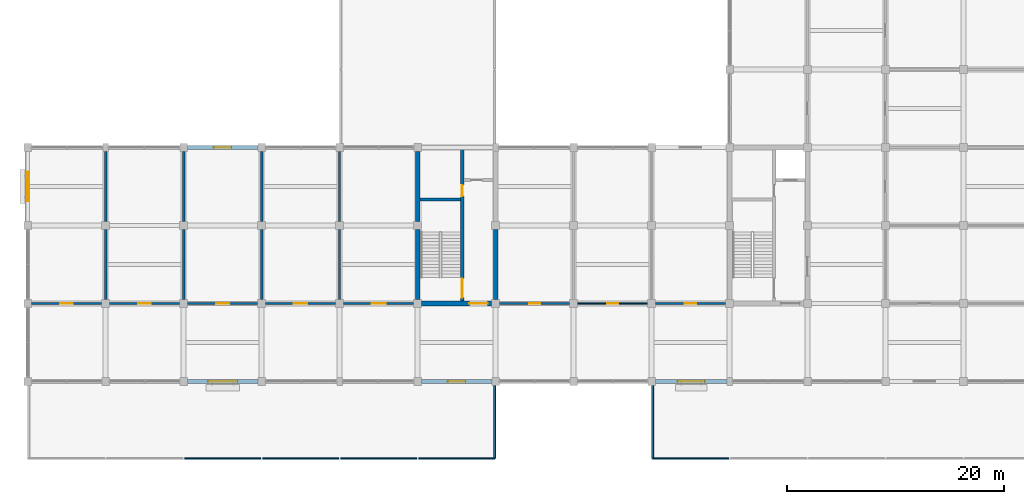
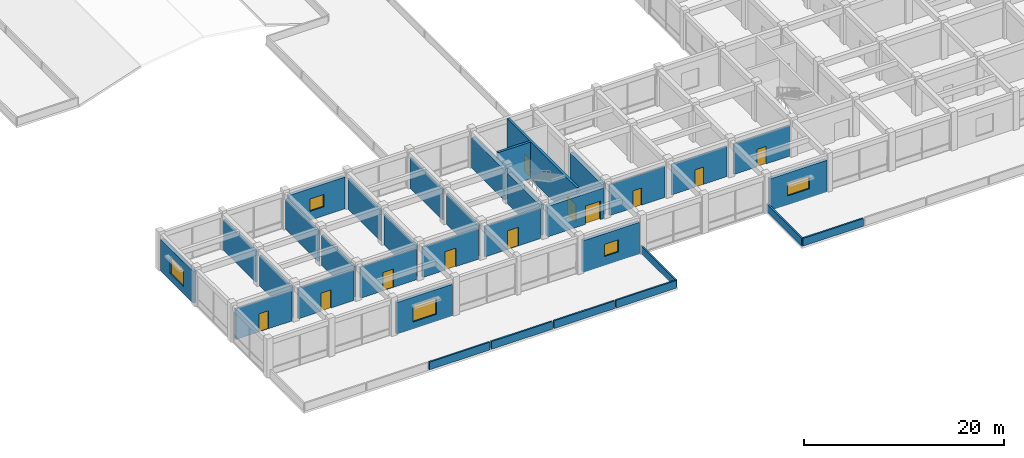
# One storey, part 18 of 30: 34 walls, 11 doors, 5 windows, 16 openings.
"""IFC4 building model written with IfcOpenShell, lengths in metres."""

from ifc_helpers import new_model, si_unit, direction, frame, frame_2d, origin, place, context, subcontext, project, spatial, rectangle, extrude, material, layer, layer_set, type_object, element, fill, save


model = new_model("IFC4")

# Units and contexts
model_context = context("Model", 3, precision=1e-05, world=origin(), true_north=direction((0.0, 1.0)))
body_context = subcontext(model_context, "Body", "Model", "MODEL_VIEW")
ifc_project = project(units=[si_unit("LENGTHUNIT", "METRE"), si_unit("AREAUNIT", "SQUARE_METRE"), si_unit("VOLUMEUNIT", "CUBIC_METRE"), si_unit("PLANEANGLEUNIT", "RADIAN"), si_unit("MASSUNIT", "GRAM", prefix="KILO")], contexts=[model_context])

# Site, building, storey
site_placement = place(None, origin())
site = spatial("IfcSite", under=ifc_project, at=site_placement, CompositionType="ELEMENT")
building_placement = place(site_placement, origin())
building = spatial("IfcBuilding", under=site, at=building_placement, Name="Cendaluz Park School", CompositionType="ELEMENT")
storey_placement = place(building_placement, frame((0.0, 0.0, 9.60009765625)))
storey = spatial("IfcBuildingStorey", under=building, at=storey_placement, Name="L02", CompositionType="ELEMENT", Elevation=9.60009765625)

# Wall, opening, door
ifc_material_1 = material(Name="Gypsum Plasterboard on Cold-Formed Stud", Category="gypsum")
ifc_layer_1 = layer(ifc_material_1, 0.199951171875)
ifc_layer_set_1 = layer_set([ifc_layer_1], Name="Gypsum Plasterboard on Cold-Formed Stud")
wall_type_1 = type_object("IfcWallType", Name="W-AC20", PredefinedType="PARTITIONING", material=ifc_layer_set_1)
wall_1_placement = place(storey_placement, frame((21.97509765625, 14.39990234375, 0.0), z_axis=(0.0, 0.0, 1.0), x_axis=(1.0, 0.0, 0.0)))
wall_1 = element("IfcWall", 1, at=wall_1_placement, inside=storey, type_object=wall_type_1, Name="WL-FC-BZ2", PredefinedType="PARTITIONING", context=body_context, shape_type="SweptSolid", body=[
    extrude(rectangle(XDim=6.449951171875, YDim=0.199951171875, at=frame_2d((3.22509765625, 0.0))), origin(), (0.0, 0.0, 1.0), 3.739990234375),
])
opening_1_placement = place(wall_1_placement, frame((2.60498046875, 0.0, 0.0)))
opening_1 = element("IfcOpeningElement", 2, at=opening_1_placement, cuts=wall_1, Name="Opening DCL-09", PredefinedType="OPENING", context=body_context, shape_type="SweptSolid", body=[
    extrude(rectangle(XDim=1.239990234375, YDim=2.260009765625, at=frame_2d((0.6201171875, 1.1298828125))), frame((0.0, 0.112060546875, 0.0), z_axis=(0.0, -1.0, 0.0), x_axis=(1.0, 0.0, 0.0)), (0.0, 0.0, 1.0), 0.223876953125),
])
ifc_material_2 = material(Name="Solid Core Hardwood", Category="wood")
door_type_1 = type_object("IfcDoorType", Name="DCL-09", OperationType="NOTDEFINED", PredefinedType="DOOR", material=ifc_material_2)
door_1_placement = place(opening_1_placement, origin())
door_1 = element("IfcDoor", 3, at=door_1_placement, inside=storey, type_object=door_type_1, Name="D-L02-032", OperationType="SINGLE_SWING_RIGHT", OverallHeight=2.260009765625, OverallWidth=1.239990234375, PredefinedType="DOOR", context=body_context, shape_type="SweptSolid", body=[
    extrude(rectangle(XDim=1.239990234375, YDim=2.260009765625, at=frame_2d((0.6201171875, 1.1298828125))), frame((0.0, 0.02490234375, 0.0), z_axis=(0.0, -1.0, 0.0), x_axis=(1.0, 0.0, 0.0)), (0.0, 0.0, 1.0), 0.050048828125),
])
fill(opening_1, door_1)

# Walls
wall_2_placement = place(storey_placement, frame((28.800048828125, 14.77490234375, 0.0), z_axis=(0.0, 0.0, 1.0), x_axis=(0.0, 1.0, 0.0)))
element("IfcWall", 4, at=wall_2_placement, inside=storey, type_object=wall_type_1, Name="WL-FC-BZ3", PredefinedType="PARTITIONING", context=body_context, shape_type="SweptSolid", body=[
    extrude(rectangle(XDim=6.4501953125, YDim=0.199951171875, at=frame_2d((3.22509765625, 0.0))), origin(), (0.0, 0.0, 1.0), 3.739990234375),
])
wall_3_placement = place(storey_placement, frame((28.800048828125, 21.97509765625, 0.0), z_axis=(0.0, 0.0, 1.0), x_axis=(0.0, 1.0, 0.0)))
element("IfcWall", 5, at=wall_3_placement, inside=storey, type_object=wall_type_1, Name="WL-FC-BZ4", PredefinedType="PARTITIONING", context=body_context, shape_type="SweptSolid", body=[
    extrude(rectangle(XDim=6.474853515625, YDim=0.199951171875, at=frame_2d((3.2373046875, 0.0))), origin(), (0.0, 0.0, 1.0), 3.739990234375),
])

# Wall, opening, door
wall_4_placement = place(storey_placement, frame((29.175048828125, 14.39990234375, 0.0), z_axis=(0.0, 0.0, 1.0), x_axis=(1.0, 0.0, 0.0)))
wall_4 = element("IfcWall", 6, at=wall_4_placement, inside=storey, type_object=wall_type_1, Name="WL-FC-BZ5", PredefinedType="PARTITIONING", context=body_context, shape_type="SweptSolid", body=[
    extrude(rectangle(XDim=6.449951171875, YDim=0.199951171875, at=frame_2d((3.22509765625, 0.0))), origin(), (0.0, 0.0, 1.0), 3.739990234375),
])
opening_2_placement = place(wall_4_placement, frame((2.5849609375, 0.0, 0.0)))
opening_2 = element("IfcOpeningElement", 7, at=opening_2_placement, cuts=wall_4, Name="Opening DCL-10", PredefinedType="OPENING", context=body_context, shape_type="SweptSolid", body=[
    extrude(rectangle(XDim=1.280029296875, YDim=2.280029296875, at=frame_2d((0.64013671875, 1.14013671875))), frame((0.0, 0.112060546875, 0.0), z_axis=(0.0, -1.0, 0.0), x_axis=(1.0, 0.0, 0.0)), (0.0, 0.0, 1.0), 0.223876953125),
])
door_type_2 = type_object("IfcDoorType", Name="DCL-10", OperationType="NOTDEFINED", PredefinedType="DOOR", material=ifc_material_2)
door_2_placement = place(opening_2_placement, origin())
door_2 = element("IfcDoor", 8, at=door_2_placement, inside=storey, type_object=door_type_2, Name="D-L02-033", OperationType="SINGLE_SWING_LEFT", OverallHeight=2.280029296875, OverallWidth=1.280029296875, PredefinedType="DOOR", context=body_context, shape_type="SweptSolid", body=[
    extrude(rectangle(XDim=1.280029296875, YDim=2.280029296875, at=frame_2d((0.64013671875, 1.14013671875))), frame((0.0, 0.02490234375, 0.0), z_axis=(0.0, -1.0, 0.0), x_axis=(1.0, 0.0, 0.0)), (0.0, 0.0, 1.0), 0.050048828125),
])
fill(opening_2, door_2)

wall_5_placement = place(storey_placement, frame((43.574951171875, 14.39990234375, 0.0), z_axis=(0.0, 0.0, 1.0), x_axis=(1.0, 0.0, 0.0)))
wall_5 = element("IfcWall", 9, at=wall_5_placement, inside=storey, type_object=wall_type_1, Name="WL-FC-BZ6", PredefinedType="PARTITIONING", context=body_context, shape_type="SweptSolid", body=[
    extrude(rectangle(XDim=6.449951171875, YDim=0.199951171875, at=frame_2d((3.22509765625, 0.0))), origin(), (0.0, 0.0, 1.0), 3.809814453125),
])
opening_3_placement = place(wall_5_placement, frame((2.72509765625, 0.0, 0.0)))
opening_3 = element("IfcOpeningElement", 10, at=opening_3_placement, cuts=wall_5, Name="Opening DCL-01", PredefinedType="OPENING", context=body_context, shape_type="SweptSolid", body=[
    extrude(rectangle(XDim=1.0, YDim=2.10009765625, at=frame_2d((0.5, 1.050048828125))), frame((0.0, 0.112060546875, 0.0), z_axis=(0.0, -1.0, 0.0), x_axis=(1.0, 0.0, 0.0)), (0.0, 0.0, 1.0), 0.223876953125),
])
door_type_3 = type_object("IfcDoorType", Name="DCL-01", OperationType="NOTDEFINED", PredefinedType="DOOR", material=ifc_material_2)
door_3_placement = place(opening_3_placement, origin())
door_3 = element("IfcDoor", 11, at=door_3_placement, inside=storey, type_object=door_type_3, Name="D-L02-034", OperationType="SINGLE_SWING_RIGHT", OverallHeight=2.10009765625, OverallWidth=1.0, PredefinedType="DOOR", context=body_context, shape_type="SweptSolid", body=[
    extrude(rectangle(XDim=1.0, YDim=2.10009765625, at=frame_2d((0.5, 1.050048828125))), frame((0.0, 0.02490234375, 0.0), z_axis=(0.0, -1.0, 0.0), x_axis=(1.0, 0.0, 0.0)), (0.0, 0.0, 1.0), 0.050048828125),
])
fill(opening_3, door_3)

wall_6_placement = place(storey_placement, frame((57.97509765625, 14.39990234375, 0.0), z_axis=(0.0, 0.0, 1.0), x_axis=(1.0, 0.0, 0.0)))
wall_6 = element("IfcWall", 12, at=wall_6_placement, inside=storey, type_object=wall_type_1, Name="WL-FC-CA2", PredefinedType="PARTITIONING", context=body_context, shape_type="SweptSolid", body=[
    extrude(rectangle(XDim=6.449951171875, YDim=0.199951171875, at=frame_2d((3.22509765625, 0.0))), origin(), (0.0, 0.0, 1.0), 3.739990234375),
])
opening_4_placement = place(wall_6_placement, frame((2.705078125, 0.0, 0.0)))
opening_4 = element("IfcOpeningElement", 13, at=opening_4_placement, cuts=wall_6, Name="Opening DCL-03", PredefinedType="OPENING", context=body_context, shape_type="SweptSolid", body=[
    extrude(rectangle(XDim=1.0400390625, YDim=2.139892578125, at=frame_2d((0.52001953125, 1.06982421875))), frame((0.0, 0.112060546875, 0.0), z_axis=(0.0, -1.0, 0.0), x_axis=(1.0, 0.0, 0.0)), (0.0, 0.0, 1.0), 0.223876953125),
])
door_type_4 = type_object("IfcDoorType", Name="DCL-03", OperationType="NOTDEFINED", PredefinedType="DOOR", material=ifc_material_2)
door_4_placement = place(opening_4_placement, origin())
door_4 = element("IfcDoor", 14, at=door_4_placement, inside=storey, type_object=door_type_4, Name="D-L02-036", OperationType="SINGLE_SWING_RIGHT", OverallHeight=2.139892578125, OverallWidth=1.0400390625, PredefinedType="DOOR", context=body_context, shape_type="SweptSolid", body=[
    extrude(rectangle(XDim=1.0400390625, YDim=2.139892578125, at=frame_2d((0.52001953125, 1.06982421875))), frame((0.0, 0.02490234375, 0.0), z_axis=(0.0, -1.0, 0.0), x_axis=(1.0, 0.0, 0.0)), (0.0, 0.0, 1.0), 0.050048828125),
])
fill(opening_4, door_4)

# Wall, opening, window
ifc_material_3 = material(Name="Concrete C40/50 precast", Category="concrete")
ifc_layer_2 = layer(ifc_material_3, 0.360107421875)
ifc_layer_set_2 = layer_set([ifc_layer_2], Name="Concrete C40/50 precast")
wall_type_2 = type_object("IfcWallType", Name="W-EX36", PredefinedType="SOLIDWALL", material=ifc_layer_set_2)
wall_7_placement = place(storey_placement, frame((0.0, 21.949951171875, 0.0), z_axis=(0.0, 0.0, 1.0), x_axis=(0.0, 1.0, 0.0)))
wall_7 = element("IfcWall", 15, at=wall_7_placement, inside=storey, type_object=wall_type_2, Name="WL-FC-AA0", PredefinedType="SOLIDWALL", context=body_context, shape_type="SweptSolid", body=[
    extrude(rectangle(XDim=6.5, YDim=0.360107421875, at=frame_2d((3.25, 0.0))), origin(), (0.0, 0.0, 1.0), 3.8798828125),
])
opening_5_placement = place(wall_7_placement, frame((1.89990234375, 0.0, 0.85009765625)))
opening_5 = element("IfcOpeningElement", 16, at=opening_5_placement, cuts=wall_7, Name="Opening WN-13", PredefinedType="OPENING", context=body_context, shape_type="SweptSolid", body=[
    extrude(rectangle(XDim=2.699951171875, YDim=2.0, at=frame_2d((1.35009765625, 1.0))), frame((0.0, 0.192138671875, 0.0), z_axis=(0.0, -1.0, 0.0), x_axis=(1.0, 0.0, 0.0)), (0.0, 0.0, 1.0), 0.384033203125),
])
ifc_material_4 = material(Name="Tempered Low-E Double Glazing", Category="glass")
window_type_1 = type_object("IfcWindowType", Name="WN-13", PartitioningType="SINGLE_PANEL", PredefinedType="WINDOW", material=ifc_material_4)
window_1_placement = place(opening_5_placement, origin())
window_1 = element("IfcWindow", 17, at=window_1_placement, inside=storey, type_object=window_type_1, Name="WN-L02-001", OverallHeight=2.0, OverallWidth=2.699951171875, PartitioningType="SINGLE_PANEL", PredefinedType="WINDOW", context=body_context, shape_type="SweptSolid", body=[
    extrude(rectangle(XDim=2.699951171875, YDim=2.0, at=frame_2d((1.35009765625, 1.0))), frame((0.0, 0.030029296875, 0.0), z_axis=(0.0, -1.0, 0.0), x_axis=(1.0, 0.0, 0.0)), (0.0, 0.0, 1.0), 0.06005859375),
])
fill(opening_5, window_1)

wall_8_placement = place(storey_placement, frame((14.75, 7.199951171875, 0.0), z_axis=(0.0, 0.0, 1.0), x_axis=(1.0, 0.0, 0.0)))
wall_8 = element("IfcWall", 18, at=wall_8_placement, inside=storey, type_object=wall_type_2, Name="WL-FC-AA1", PredefinedType="SOLIDWALL", context=body_context, shape_type="SweptSolid", body=[
    extrude(rectangle(XDim=6.5, YDim=0.360107421875, at=frame_2d((3.25, 0.0))), origin(), (0.0, 0.0, 1.0), 3.8798828125),
])
opening_6_placement = place(wall_8_placement, frame((1.89990234375, 0.0, 0.85009765625)))
opening_6 = element("IfcOpeningElement", 19, at=opening_6_placement, cuts=wall_8, Name="Opening WN-13", PredefinedType="OPENING", context=body_context, shape_type="SweptSolid", body=[
    extrude(rectangle(XDim=2.699951171875, YDim=2.0, at=frame_2d((1.35009765625, 1.0))), frame((0.0, 0.192138671875, 0.0), z_axis=(0.0, -1.0, 0.0), x_axis=(1.0, 0.0, 0.0)), (0.0, 0.0, 1.0), 0.384033203125),
])
window_2_placement = place(opening_6_placement, origin())
window_2 = element("IfcWindow", 20, at=window_2_placement, inside=storey, type_object=window_type_1, Name="WN-L02-002", OverallHeight=2.0, OverallWidth=2.699951171875, PartitioningType="SINGLE_PANEL", PredefinedType="WINDOW", context=body_context, shape_type="SweptSolid", body=[
    extrude(rectangle(XDim=2.699951171875, YDim=2.0, at=frame_2d((1.35009765625, 1.0))), frame((0.0, 0.030029296875, 0.0), z_axis=(0.0, -1.0, 0.0), x_axis=(1.0, 0.0, 0.0)), (0.0, 0.0, 1.0), 0.06005859375),
])
fill(opening_6, window_2)

wall_9_placement = place(storey_placement, frame((14.75, 28.800048828125, 0.0), z_axis=(0.0, 0.0, 1.0), x_axis=(1.0, 0.0, 0.0)))
wall_9 = element("IfcWall", 21, at=wall_9_placement, inside=storey, type_object=wall_type_2, Name="WL-FC-AA2", PredefinedType="SOLIDWALL", context=body_context, shape_type="SweptSolid", body=[
    extrude(rectangle(XDim=6.5, YDim=0.360107421875, at=frame_2d((3.25, 0.0))), origin(), (0.0, 0.0, 1.0), 3.8798828125),
])
opening_7_placement = place(wall_9_placement, frame((2.449951171875, 0.0, 1.10009765625)))
opening_7 = element("IfcOpeningElement", 22, at=opening_7_placement, cuts=wall_9, Name="Opening WN-16", PredefinedType="OPENING", context=body_context, shape_type="SweptSolid", body=[
    extrude(rectangle(XDim=1.60009765625, YDim=1.5, at=frame_2d((0.800048828125, 0.75))), frame((0.0, 0.192138671875, 0.0), z_axis=(0.0, -1.0, 0.0), x_axis=(1.0, 0.0, 0.0)), (0.0, 0.0, 1.0), 0.384033203125),
])
window_type_2 = type_object("IfcWindowType", Name="WN-16", PartitioningType="SINGLE_PANEL", PredefinedType="WINDOW", material=ifc_material_4)
window_3_placement = place(opening_7_placement, origin())
window_3 = element("IfcWindow", 23, at=window_3_placement, inside=storey, type_object=window_type_2, Name="WN-L02-003", OverallHeight=1.5, OverallWidth=1.60009765625, PartitioningType="SINGLE_PANEL", PredefinedType="WINDOW", context=body_context, shape_type="SweptSolid", body=[
    extrude(rectangle(XDim=1.60009765625, YDim=1.5, at=frame_2d((0.800048828125, 0.75))), frame((0.0, 0.030029296875, 0.0), z_axis=(0.0, -1.0, 0.0), x_axis=(1.0, 0.0, 0.0)), (0.0, 0.0, 1.0), 0.06005859375),
])
fill(opening_7, window_3)

wall_10_placement = place(storey_placement, frame((36.35009765625, 7.199951171875, 0.0), z_axis=(0.0, 0.0, 1.0), x_axis=(1.0, 0.0, 0.0)))
wall_10 = element("IfcWall", 24, at=wall_10_placement, inside=storey, type_object=wall_type_2, Name="WL-FC-AA3", PredefinedType="SOLIDWALL", context=body_context, shape_type="SweptSolid", body=[
    extrude(rectangle(XDim=6.5, YDim=0.360107421875, at=frame_2d((3.25, 0.0))), origin(), (0.0, 0.0, 1.0), 3.8798828125),
])
opening_8_placement = place(wall_10_placement, frame((2.449951171875, 0.0, 1.10009765625)))
opening_8 = element("IfcOpeningElement", 25, at=opening_8_placement, cuts=wall_10, Name="Opening WN-16", PredefinedType="OPENING", context=body_context, shape_type="SweptSolid", body=[
    extrude(rectangle(XDim=1.60009765625, YDim=1.5, at=frame_2d((0.800048828125, 0.75))), frame((0.0, 0.192138671875, 0.0), z_axis=(0.0, -1.0, 0.0), x_axis=(1.0, 0.0, 0.0)), (0.0, 0.0, 1.0), 0.384033203125),
])
window_4_placement = place(opening_8_placement, origin())
window_4 = element("IfcWindow", 26, at=window_4_placement, inside=storey, type_object=window_type_2, Name="WN-L02-004", OverallHeight=1.5, OverallWidth=1.60009765625, PartitioningType="SINGLE_PANEL", PredefinedType="WINDOW", context=body_context, shape_type="SweptSolid", body=[
    extrude(rectangle(XDim=1.60009765625, YDim=1.5, at=frame_2d((0.800048828125, 0.75))), frame((0.0, 0.030029296875, 0.0), z_axis=(0.0, -1.0, 0.0), x_axis=(1.0, 0.0, 0.0)), (0.0, 0.0, 1.0), 0.06005859375),
])
fill(opening_8, window_4)

wall_11_placement = place(storey_placement, frame((57.949951171875, 7.199951171875, 0.0), z_axis=(0.0, 0.0, 1.0), x_axis=(1.0, 0.0, 0.0)))
wall_11 = element("IfcWall", 27, at=wall_11_placement, inside=storey, type_object=wall_type_2, Name="WL-FC-AA4", PredefinedType="SOLIDWALL", context=body_context, shape_type="SweptSolid", body=[
    extrude(rectangle(XDim=6.60009765625, YDim=0.360107421875, at=frame_2d((3.300048828125, 0.0))), origin(), (0.0, 0.0, 1.0), 3.8798828125),
])
opening_9_placement = place(wall_11_placement, frame((2.050048828125, 0.0, 1.10009765625)))
opening_9 = element("IfcOpeningElement", 28, at=opening_9_placement, cuts=wall_11, Name="Opening WN-19", PredefinedType="OPENING", context=body_context, shape_type="SweptSolid", body=[
    extrude(rectangle(XDim=2.5, YDim=1.5, at=frame_2d((1.25, 0.75))), frame((0.0, 0.192138671875, 0.0), z_axis=(0.0, -1.0, 0.0), x_axis=(1.0, 0.0, 0.0)), (0.0, 0.0, 1.0), 0.384033203125),
])
window_type_3 = type_object("IfcWindowType", Name="WN-19", PartitioningType="SINGLE_PANEL", PredefinedType="WINDOW", material=ifc_material_4)
window_5_placement = place(opening_9_placement, origin())
window_5 = element("IfcWindow", 29, at=window_5_placement, inside=storey, type_object=window_type_3, Name="WN-L02-005", OverallHeight=1.5, OverallWidth=2.5, PartitioningType="SINGLE_PANEL", PredefinedType="WINDOW", context=body_context, shape_type="SweptSolid", body=[
    extrude(rectangle(XDim=2.5, YDim=1.5, at=frame_2d((1.25, 0.75))), frame((0.0, 0.030029296875, 0.0), z_axis=(0.0, -1.0, 0.0), x_axis=(1.0, 0.0, 0.0)), (0.0, 0.0, 1.0), 0.06005859375),
])
fill(opening_9, window_5)

# Wall, openings, doors
ifc_material_5 = material(Name="Concrete C40/50", Category="concrete")
ifc_layer_3 = layer(ifc_material_5, 0.280029296875)
ifc_layer_set_3 = layer_set([ifc_layer_3], Name="Concrete C40/50")
wall_type_3 = type_object("IfcWallType", Name="W-FW28", PredefinedType="SHEAR", material=ifc_layer_set_3)
wall_12_placement = place(storey_placement, frame((40.1201171875, 14.60009765625, 0.0), z_axis=(0.0, 0.0, 1.0), x_axis=(0.0, 1.0, 0.0)))
wall_12 = element("IfcWall", 30, at=wall_12_placement, inside=storey, type_object=wall_type_3, Name="WL-FC-BW3", PredefinedType="SHEAR", context=body_context, shape_type="SweptSolid", body=[
    extrude(rectangle(XDim=14.0, YDim=0.280029296875, at=frame_2d((7.0, 0.0))), origin(), (0.0, 0.0, 1.0), 4.510009765625),
])
opening_10_placement = place(wall_12_placement, frame((0.35009765625, 0.0, 0.0)))
opening_10 = element("IfcOpeningElement", 31, at=opening_10_placement, cuts=wall_12, Name="Opening DST-03", PredefinedType="OPENING", context=body_context, shape_type="SweptSolid", body=[
    extrude(rectangle(XDim=1.75, YDim=2.14990234375, at=frame_2d((0.875, 1.074951171875))), frame((0.0, 0.152099609375, 0.0), z_axis=(0.0, -1.0, 0.0), x_axis=(1.0, 0.0, 0.0)), (0.0, 0.0, 1.0), 0.303955078125),
])
opening_11_placement = place(wall_12_placement, frame((9.719970703125, 0.0, 0.0)))
opening_11 = element("IfcOpeningElement", 32, at=opening_11_placement, cuts=wall_12, Name="Opening DFC-01", PredefinedType="OPENING", context=body_context, shape_type="SweptSolid", body=[
    extrude(rectangle(XDim=1.0, YDim=2.14990234375, at=frame_2d((0.5, 1.074951171875))), frame((0.0, 0.152099609375, 0.0), z_axis=(0.0, -1.0, 0.0), x_axis=(1.0, 0.0, 0.0)), (0.0, 0.0, 1.0), 0.303955078125),
])
door_type_5 = type_object("IfcDoorType", Name="DFC-01", OperationType="NOTDEFINED", PredefinedType="DOOR", material=ifc_material_2)
door_5_placement = place(opening_11_placement, origin())
door_5 = element("IfcDoor", 33, at=door_5_placement, inside=storey, type_object=door_type_5, Name="D-L02-021", OperationType="SINGLE_SWING_LEFT", OverallHeight=2.14990234375, OverallWidth=1.0, PredefinedType="DOOR", context=body_context, shape_type="SweptSolid", body=[
    extrude(rectangle(XDim=1.0, YDim=2.14990234375, at=frame_2d((0.5, 1.074951171875))), frame((0.0, 0.02490234375, 0.0), z_axis=(0.0, -1.0, 0.0), x_axis=(1.0, 0.0, 0.0)), (0.0, 0.0, 1.0), 0.050048828125),
])
fill(opening_11, door_5)
door_type_6 = type_object("IfcDoorType", Name="DST-03", OperationType="DOUBLE_DOOR_SINGLE_SWING", PredefinedType="DOOR", material=ifc_material_2)
door_6_placement = place(opening_10_placement, origin())
door_6 = element("IfcDoor", 34, at=door_6_placement, inside=storey, type_object=door_type_6, Name="D-L02-020", OperationType="DOUBLE_DOOR_SINGLE_SWING", OverallHeight=2.14990234375, OverallWidth=1.75, PredefinedType="DOOR", context=body_context, shape_type="SweptSolid", body=[
    extrude(rectangle(XDim=1.75, YDim=2.14990234375, at=frame_2d((0.875, 1.074951171875))), frame((0.0, 0.02490234375, 0.0), z_axis=(0.0, -1.0, 0.0), x_axis=(1.0, 0.0, 0.0)), (0.0, 0.0, 1.0), 0.050048828125),
])
fill(opening_10, door_6)

# Wall
wall_13_placement = place(storey_placement, frame((36.199951171875, 23.97998046875, 0.0), z_axis=(0.0, 0.0, 1.0), x_axis=(1.0, 0.0, 0.0)))
element("IfcWall", 35, at=wall_13_placement, inside=storey, type_object=wall_type_3, Name="WL-FC-BW4", PredefinedType="SHEAR", context=body_context, shape_type="SweptSolid", body=[
    extrude(rectangle(XDim=3.780029296875, YDim=0.280029296875, at=frame_2d((1.89013671875, 0.0))), origin(), (0.0, 0.0, 1.0), 4.510009765625),
])

# Wall, opening, door
ifc_layer_4 = layer(ifc_material_1, 0.219970703125)
ifc_layer_set_4 = layer_set([ifc_layer_4], Name="Gypsum Plasterboard on Cold-Formed Stud")
wall_type_4 = type_object("IfcWallType", Name="W-LB22", PredefinedType="PARTITIONING", material=ifc_layer_set_4)
wall_14_placement = place(storey_placement, frame((0.35009765625, 14.39990234375, 0.0), z_axis=(0.0, 0.0, 1.0), x_axis=(1.0, 0.0, 0.0)))
wall_14 = element("IfcWall", 36, at=wall_14_placement, inside=storey, type_object=wall_type_4, Name="WL-FC-BY3", PredefinedType="PARTITIONING", context=body_context, shape_type="SweptSolid", body=[
    extrude(rectangle(XDim=6.474853515625, YDim=0.219970703125, at=frame_2d((3.2373046875, 0.0))), origin(), (0.0, 0.0, 1.0), 3.739990234375),
])
opening_12_placement = place(wall_14_placement, frame((2.677490234375, 0.0, 0.0)))
opening_12 = element("IfcOpeningElement", 37, at=opening_12_placement, cuts=wall_14, Name="Opening DCL-06", PredefinedType="OPENING", context=body_context, shape_type="SweptSolid", body=[
    extrude(rectangle(XDim=1.1201171875, YDim=2.199951171875, at=frame_2d((0.56005859375, 1.10009765625))), frame((0.0, 0.1220703125, 0.0), z_axis=(0.0, -1.0, 0.0), x_axis=(1.0, 0.0, 0.0)), (0.0, 0.0, 1.0), 0.243896484375),
])
door_type_7 = type_object("IfcDoorType", Name="DCL-06", OperationType="NOTDEFINED", PredefinedType="DOOR", material=ifc_material_2)
door_7_placement = place(opening_12_placement, frame((1.1201171875, 0.0, 0.0), z_axis=(0.0, 0.0, 1.0), x_axis=(-1.0, 0.0, 0.0)))
door_7 = element("IfcDoor", 38, at=door_7_placement, inside=storey, type_object=door_type_7, Name="D-L02-029", OperationType="SINGLE_SWING_LEFT", OverallHeight=2.199951171875, OverallWidth=1.1201171875, PredefinedType="DOOR", context=body_context, shape_type="SweptSolid", body=[
    extrude(rectangle(XDim=1.1201171875, YDim=2.199951171875, at=frame_2d((0.56005859375, 1.10009765625))), frame((0.0, 0.02490234375, 0.0), z_axis=(0.0, -1.0, 0.0), x_axis=(1.0, 0.0, 0.0)), (0.0, 0.0, 1.0), 0.050048828125),
])
fill(opening_12, door_7)

# Walls
wall_15_placement = place(storey_placement, frame((7.199951171875, 14.77490234375, 0.0), z_axis=(0.0, 0.0, 1.0), x_axis=(0.0, 1.0, 0.0)))
element("IfcWall", 39, at=wall_15_placement, inside=storey, type_object=wall_type_4, Name="WL-FC-BY4", PredefinedType="PARTITIONING", context=body_context, shape_type="SweptSolid", body=[
    extrude(rectangle(XDim=6.4501953125, YDim=0.219970703125, at=frame_2d((3.22509765625, 0.0))), origin(), (0.0, 0.0, 1.0), 3.739990234375),
])
wall_16_placement = place(storey_placement, frame((7.199951171875, 21.97509765625, 0.0), z_axis=(0.0, 0.0, 1.0), x_axis=(0.0, 1.0, 0.0)))
element("IfcWall", 40, at=wall_16_placement, inside=storey, type_object=wall_type_4, Name="WL-FC-BY5", PredefinedType="PARTITIONING", context=body_context, shape_type="SweptSolid", body=[
    extrude(rectangle(XDim=6.449951171875, YDim=0.219970703125, at=frame_2d((3.22509765625, 0.0))), origin(), (0.0, 0.0, 1.0), 3.739990234375),
])

# Wall, opening, door
wall_17_placement = place(storey_placement, frame((7.574951171875, 14.39990234375, 0.0), z_axis=(0.0, 0.0, 1.0), x_axis=(1.0, 0.0, 0.0)))
wall_17 = element("IfcWall", 41, at=wall_17_placement, inside=storey, type_object=wall_type_4, Name="WL-FC-BY6", PredefinedType="PARTITIONING", context=body_context, shape_type="SweptSolid", body=[
    extrude(rectangle(XDim=6.449951171875, YDim=0.219970703125, at=frame_2d((3.22509765625, 0.0))), origin(), (0.0, 0.0, 1.0), 3.739990234375),
])
opening_13_placement = place(wall_17_placement, frame((2.64501953125, 0.0, 0.0)))
opening_13 = element("IfcOpeningElement", 42, at=opening_13_placement, cuts=wall_17, Name="Opening DCL-07", PredefinedType="OPENING", context=body_context, shape_type="SweptSolid", body=[
    extrude(rectangle(XDim=1.159912109375, YDim=2.219970703125, at=frame_2d((0.580078125, 1.10986328125))), frame((0.0, 0.1220703125, 0.0), z_axis=(0.0, -1.0, 0.0), x_axis=(1.0, 0.0, 0.0)), (0.0, 0.0, 1.0), 0.243896484375),
])
door_type_8 = type_object("IfcDoorType", Name="DCL-07", OperationType="NOTDEFINED", PredefinedType="DOOR", material=ifc_material_2)
door_8_placement = place(opening_13_placement, frame((1.159912109375, 0.0, 0.0), z_axis=(0.0, 0.0, 1.0), x_axis=(-1.0, 0.0, 0.0)))
door_8 = element("IfcDoor", 43, at=door_8_placement, inside=storey, type_object=door_type_8, Name="D-L02-030", OperationType="SINGLE_SWING_RIGHT", OverallHeight=2.219970703125, OverallWidth=1.159912109375, PredefinedType="DOOR", context=body_context, shape_type="SweptSolid", body=[
    extrude(rectangle(XDim=1.159912109375, YDim=2.219970703125, at=frame_2d((0.580078125, 1.10986328125))), frame((0.0, 0.02490234375, 0.0), z_axis=(0.0, -1.0, 0.0), x_axis=(1.0, 0.0, 0.0)), (0.0, 0.0, 1.0), 0.050048828125),
])
fill(opening_13, door_8)

# Walls
wall_18_placement = place(storey_placement, frame((14.39990234375, 14.77490234375, 0.0), z_axis=(0.0, 0.0, 1.0), x_axis=(0.0, 1.0, 0.0)))
element("IfcWall", 44, at=wall_18_placement, inside=storey, type_object=wall_type_4, Name="WL-FC-BY7", PredefinedType="PARTITIONING", context=body_context, shape_type="SweptSolid", body=[
    extrude(rectangle(XDim=6.4501953125, YDim=0.219970703125, at=frame_2d((3.22509765625, 0.0))), origin(), (0.0, 0.0, 1.0), 3.739990234375),
])
wall_19_placement = place(storey_placement, frame((14.39990234375, 21.97509765625, 0.0), z_axis=(0.0, 0.0, 1.0), x_axis=(0.0, 1.0, 0.0)))
element("IfcWall", 45, at=wall_19_placement, inside=storey, type_object=wall_type_4, Name="WL-FC-BY8", PredefinedType="PARTITIONING", context=body_context, shape_type="SweptSolid", body=[
    extrude(rectangle(XDim=6.474853515625, YDim=0.219970703125, at=frame_2d((3.2373046875, 0.0))), origin(), (0.0, 0.0, 1.0), 3.739990234375),
])

# Wall, opening, door
wall_20_placement = place(storey_placement, frame((14.77490234375, 14.39990234375, 0.0), z_axis=(0.0, 0.0, 1.0), x_axis=(1.0, 0.0, 0.0)))
wall_20 = element("IfcWall", 46, at=wall_20_placement, inside=storey, type_object=wall_type_4, Name="WL-FC-BY9", PredefinedType="PARTITIONING", context=body_context, shape_type="SweptSolid", body=[
    extrude(rectangle(XDim=6.4501953125, YDim=0.219970703125, at=frame_2d((3.22509765625, 0.0))), origin(), (0.0, 0.0, 1.0), 3.809814453125),
])
opening_14_placement = place(wall_20_placement, frame((2.625, 0.0, 0.0)))
opening_14 = element("IfcOpeningElement", 47, at=opening_14_placement, cuts=wall_20, Name="Opening DCL-08", PredefinedType="OPENING", context=body_context, shape_type="SweptSolid", body=[
    extrude(rectangle(XDim=1.199951171875, YDim=2.239990234375, at=frame_2d((0.60009765625, 1.1201171875))), frame((0.0, 0.1220703125, 0.0), z_axis=(0.0, -1.0, 0.0), x_axis=(1.0, 0.0, 0.0)), (0.0, 0.0, 1.0), 0.243896484375),
])
door_type_9 = type_object("IfcDoorType", Name="DCL-08", OperationType="NOTDEFINED", PredefinedType="DOOR", material=ifc_material_2)
door_9_placement = place(opening_14_placement, frame((1.199951171875, 0.0, 0.0), z_axis=(0.0, 0.0, 1.0), x_axis=(-1.0, 0.0, 0.0)))
door_9 = element("IfcDoor", 48, at=door_9_placement, inside=storey, type_object=door_type_9, Name="D-L02-031", OperationType="SINGLE_SWING_LEFT", OverallHeight=2.239990234375, OverallWidth=1.199951171875, PredefinedType="DOOR", context=body_context, shape_type="SweptSolid", body=[
    extrude(rectangle(XDim=1.199951171875, YDim=2.239990234375, at=frame_2d((0.60009765625, 1.1201171875))), frame((0.0, 0.02490234375, 0.0), z_axis=(0.0, -1.0, 0.0), x_axis=(1.0, 0.0, 0.0)), (0.0, 0.0, 1.0), 0.050048828125),
])
fill(opening_14, door_9)

# Walls
wall_21_placement = place(storey_placement, frame((21.60009765625, 14.77490234375, 0.0), z_axis=(0.0, 0.0, 1.0), x_axis=(0.0, 1.0, 0.0)))
element("IfcWall", 49, at=wall_21_placement, inside=storey, type_object=wall_type_4, Name="WL-FC-BZ0", PredefinedType="PARTITIONING", context=body_context, shape_type="SweptSolid", body=[
    extrude(rectangle(XDim=6.4501953125, YDim=0.219970703125, at=frame_2d((3.22509765625, 0.0))), origin(), (0.0, 0.0, 1.0), 3.739990234375),
])
wall_22_placement = place(storey_placement, frame((21.60009765625, 21.97509765625, 0.0), z_axis=(0.0, 0.0, 1.0), x_axis=(0.0, 1.0, 0.0)))
element("IfcWall", 50, at=wall_22_placement, inside=storey, type_object=wall_type_4, Name="WL-FC-BZ1", PredefinedType="PARTITIONING", context=body_context, shape_type="SweptSolid", body=[
    extrude(rectangle(XDim=6.474853515625, YDim=0.219970703125, at=frame_2d((3.2373046875, 0.0))), origin(), (0.0, 0.0, 1.0), 3.739990234375),
])

# Wall, opening, door
ifc_layer_5 = layer(ifc_material_1, 0.1201171875)
ifc_layer_set_5 = layer_set([ifc_layer_5], Name="Gypsum Plasterboard on Cold-Formed Stud")
wall_type_5 = type_object("IfcWallType", Name="W-MV12", PredefinedType="MOVABLE", material=ifc_layer_set_5)
wall_23_placement = place(storey_placement, frame((50.77490234375, 14.39990234375, 0.0), z_axis=(0.0, 0.0, 1.0), x_axis=(1.0, 0.0, 0.0)))
wall_23 = element("IfcWall", 51, at=wall_23_placement, inside=storey, type_object=wall_type_5, Name="WL-FC-BZ9", PredefinedType="MOVABLE", context=body_context, shape_type="SweptSolid", body=[
    extrude(rectangle(XDim=6.4501953125, YDim=0.1201171875, at=frame_2d((3.22509765625, 0.0))), origin(), (0.0, 0.0, 1.0), 3.739990234375),
])
opening_15_placement = place(wall_23_placement, frame((2.715087890625, 0.0, 0.0)))
opening_15 = element("IfcOpeningElement", 52, at=opening_15_placement, cuts=wall_23, Name="Opening DCL-02", PredefinedType="OPENING", context=body_context, shape_type="SweptSolid", body=[
    extrude(rectangle(XDim=1.02001953125, YDim=2.1201171875, at=frame_2d((0.510009765625, 1.06005859375))), frame((0.0, 0.072021484375, 0.0), z_axis=(0.0, -1.0, 0.0), x_axis=(1.0, 0.0, 0.0)), (0.0, 0.0, 1.0), 0.14404296875),
])
door_type_10 = type_object("IfcDoorType", Name="DCL-02", OperationType="NOTDEFINED", PredefinedType="DOOR", material=ifc_material_2)
door_10_placement = place(opening_15_placement, origin())
door_10 = element("IfcDoor", 53, at=door_10_placement, inside=storey, type_object=door_type_10, Name="D-L02-035", OperationType="SINGLE_SWING_LEFT", OverallHeight=2.1201171875, OverallWidth=1.02001953125, PredefinedType="DOOR", context=body_context, shape_type="SweptSolid", body=[
    extrude(rectangle(XDim=1.02001953125, YDim=2.1201171875, at=frame_2d((0.510009765625, 1.06005859375))), frame((0.0, 0.02490234375, 0.0), z_axis=(0.0, -1.0, 0.0), x_axis=(1.0, 0.0, 0.0)), (0.0, 0.0, 1.0), 0.050048828125),
])
fill(opening_15, door_10)

# Walls
ifc_layer_6 = layer(ifc_material_3, 0.179931640625)
ifc_layer_set_6 = layer_set([ifc_layer_6], Name="Concrete C40/50 precast")
wall_type_6 = type_object("IfcWallType", Name="W-PR18", PredefinedType="PARAPET", material=ifc_layer_set_6)
for number, where, z_axis, x_axis, name in (
    (54, (14.489990234375, 0.090087890625, 0.0), (0.0, 0.0, 1.0), (1.0, 0.0, 0.0), "WL-FC-AE0"),
    (55, (21.68994140625, 0.090087890625, 0.0), (0.0, 0.0, 1.0), (1.0, 0.0, 0.0), "WL-FC-AE3"),
    (56, (28.889892578125, 0.090087890625, 0.0), (0.0, 0.0, 1.0), (1.0, 0.0, 0.0), "WL-FC-AE6"),
    (57, (36.090087890625, 0.090087890625, 0.0), (0.0, 0.0, 1.0), (1.0, 0.0, 0.0), "WL-FC-AF4"),
    (58, (43.110107421875, 0.090087890625, 0.0), (0.0, 0.0, 1.0), (0.0, 1.0, 0.0), "WL-FC-AF5"),
    (59, (57.68994140625, 0.090087890625, 0.0), (0.0, 0.0, 1.0), (1.0, 0.0, 0.0), "WL-FC-AH5"),
    (60, (57.68994140625, 0.090087890625, 0.0), (0.0, 0.0, 1.0), (0.0, 1.0, 0.0), "WL-FC-AH6"),
):
    element("IfcWall", number, at=place(storey_placement, frame(where, z_axis=z_axis, x_axis=x_axis)), inside=storey, type_object=wall_type_6, Name=name, PredefinedType="PARAPET", context=body_context, shape_type="SweptSolid", body=[
        extrude(rectangle(XDim=7.02001953125, YDim=0.179931640625, at=frame_2d((3.510009765625, 0.0))), origin(), (0.0, 0.0, 1.0), 0.949951171875),
    ])
ifc_layer_7 = layer(ifc_material_5, 0.419921875)
ifc_layer_set_7 = layer_set([ifc_layer_7], Name="Concrete C40/50")
wall_type_7 = type_object("IfcWallType", Name="W-SH42", PredefinedType="SHEAR", material=ifc_layer_set_7)
wall_24_placement = place(storey_placement, frame((36.0, 14.77490234375, 0.0), z_axis=(0.0, 0.0, 1.0), x_axis=(0.0, 1.0, 0.0)))
element("IfcWall", 61, at=wall_24_placement, inside=storey, type_object=wall_type_7, Name="WL-FC-BV7", PredefinedType="SHEAR", context=body_context, shape_type="SweptSolid", body=[
    extrude(rectangle(XDim=6.4501953125, YDim=0.419921875, at=frame_2d((3.22509765625, 0.0))), origin(), (0.0, 0.0, 1.0), 3.739990234375),
])
wall_25_placement = place(storey_placement, frame((36.0, 21.97509765625, 0.0), z_axis=(0.0, 0.0, 1.0), x_axis=(0.0, 1.0, 0.0)))
element("IfcWall", 62, at=wall_25_placement, inside=storey, type_object=wall_type_7, Name="WL-FC-BV8", PredefinedType="SHEAR", context=body_context, shape_type="SweptSolid", body=[
    extrude(rectangle(XDim=6.474853515625, YDim=0.419921875, at=frame_2d((3.2373046875, 0.0))), origin(), (0.0, 0.0, 1.0), 3.739990234375),
])
wall_26_placement = place(storey_placement, frame((43.199951171875, 14.77490234375, 0.0), z_axis=(0.0, 0.0, 1.0), x_axis=(0.0, 1.0, 0.0)))
element("IfcWall", 63, at=wall_26_placement, inside=storey, type_object=wall_type_7, Name="WL-FC-BV9", PredefinedType="SHEAR", context=body_context, shape_type="SweptSolid", body=[
    extrude(rectangle(XDim=6.4501953125, YDim=0.419921875, at=frame_2d((3.22509765625, 0.0))), origin(), (0.0, 0.0, 1.0), 3.739990234375),
])

# Wall, opening, door
wall_27_placement = place(storey_placement, frame((36.375, 14.39990234375, 0.0), z_axis=(0.0, 0.0, 1.0), x_axis=(1.0, 0.0, 0.0)))
wall_27 = element("IfcWall", 64, at=wall_27_placement, inside=storey, type_object=wall_type_7, Name="WL-FC-BW1", PredefinedType="SHEAR", context=body_context, shape_type="SweptSolid", body=[
    extrude(rectangle(XDim=6.449951171875, YDim=0.419921875, at=frame_2d((3.22509765625, 0.0))), origin(), (0.0, 0.0, 1.0), 3.739990234375),
])
opening_16_placement = place(wall_27_placement, frame((4.39501953125, 0.0, 0.0)))
opening_16 = element("IfcOpeningElement", 65, at=opening_16_placement, cuts=wall_27, Name="Opening DLB-02", PredefinedType="OPENING", context=body_context, shape_type="SweptSolid", body=[
    extrude(rectangle(XDim=1.699951171875, YDim=2.25, at=frame_2d((0.85009765625, 1.125))), frame((0.0, 0.221923828125, 0.0), z_axis=(0.0, -1.0, 0.0), x_axis=(1.0, 0.0, 0.0)), (0.0, 0.0, 1.0), 0.44384765625),
])
door_type_11 = type_object("IfcDoorType", Name="DLB-02", OperationType="DOUBLE_DOOR_SINGLE_SWING", PredefinedType="DOOR", material=ifc_material_2)
door_11_placement = place(opening_16_placement, origin())
door_11 = element("IfcDoor", 66, at=door_11_placement, inside=storey, type_object=door_type_11, Name="D-L02-019", OperationType="DOUBLE_DOOR_SINGLE_SWING", OverallHeight=2.25, OverallWidth=1.699951171875, PredefinedType="DOOR", context=body_context, shape_type="SweptSolid", body=[
    extrude(rectangle(XDim=1.699951171875, YDim=2.25, at=frame_2d((0.85009765625, 1.125))), frame((0.0, 0.02490234375, 0.0), z_axis=(0.0, -1.0, 0.0), x_axis=(1.0, 0.0, 0.0)), (0.0, 0.0, 1.0), 0.050048828125),
])
fill(opening_16, door_11)

save(model, "model.ifc")
